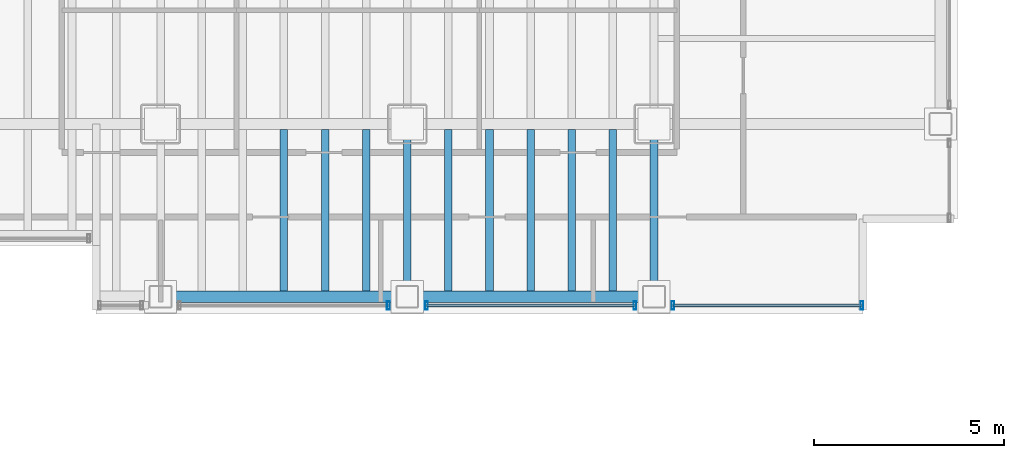
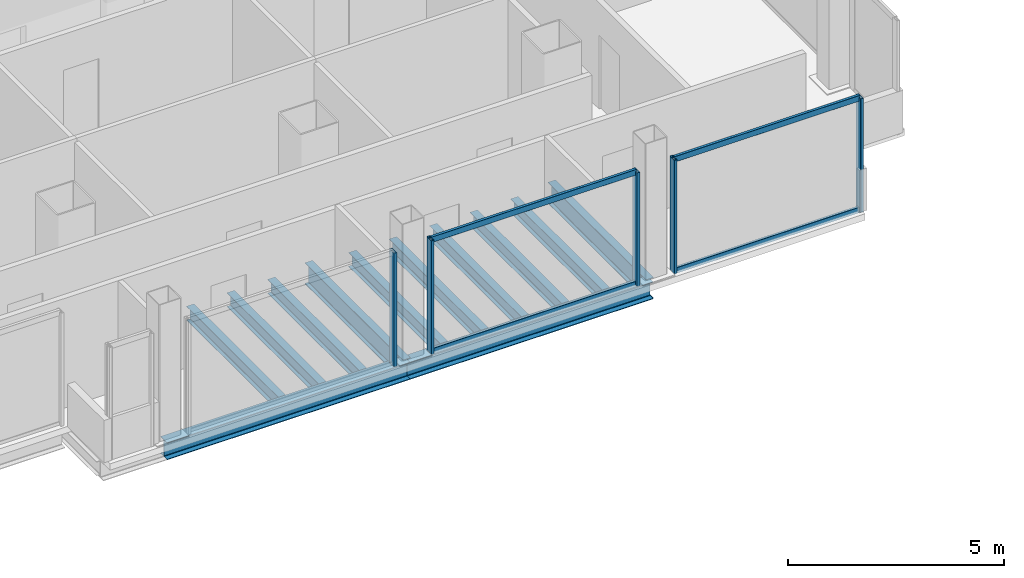
# One storey, part 8 of 30: 12 beams, 9 members, 3 elements without a shape of their own.
"""IFC4 building model written with IfcOpenShell, lengths in metres."""

from ifc_helpers import new_model, si_unit, direction, frame, origin, origin_2d, place, context, subcontext, project, spatial, hollow_rectangle, i_section, extrude, material, material_profile, profile_set, type_object, element, aggregate, save


model = new_model("IFC4")

# Units and contexts
model_context = context("Model", 3, precision=1e-05, world=origin(), true_north=direction((0.0, 1.0)))
body_context = subcontext(model_context, "Body", "Model", "MODEL_VIEW")
ifc_project = project(units=[si_unit("LENGTHUNIT", "METRE"), si_unit("AREAUNIT", "SQUARE_METRE"), si_unit("VOLUMEUNIT", "CUBIC_METRE"), si_unit("PLANEANGLEUNIT", "RADIAN"), si_unit("MASSUNIT", "GRAM", prefix="KILO")], contexts=[model_context])

# Site, building, storey
site_placement = place(None, origin())
site = spatial("IfcSite", under=ifc_project, at=site_placement, CompositionType="ELEMENT")
building_placement = place(site_placement, origin())
building = spatial("IfcBuilding", under=site, at=building_placement, Name="Noeulbin Bourse Tower", CompositionType="ELEMENT")
storey_placement = place(building_placement, frame((0.0, 0.0, 26.5)))
storey = spatial("IfcBuildingStorey", under=building, at=storey_placement, Name="L06", CompositionType="ELEMENT", Elevation=26.5)

# Beams
ifc_material_1 = material(Name="Steel S355", Category="steel")
ifc_material_profile_1 = material_profile(ifc_material_1, i_section(OverallWidth=0.199951171875, OverallDepth=0.60009765625, WebThickness=0.010986328125, FlangeThickness=0.01708984375, FilletRadius=0.02197265625, at=origin_2d()), Name="H-600x200x11x17", Category="LoadBearing")
ifc_profile_set_1 = profile_set([ifc_material_profile_1], Name="Steel S355")
beam_type_1 = type_object("IfcBeamType", Name="BM-GRD-600", PredefinedType="USERDEFINED", material=ifc_profile_set_1)
for number, where, z_axis, x_axis, name in (
    (1, (37.5, 15.449951171875, -0.47998046875), (0.0, 1.0, 0.0), (-1.0, 0.0, 0.0), "Tower Primary Girder NS L06-4.1"),
    (2, (44.0, 15.449951171875, -0.47998046875), (0.0, 1.0, 0.0), (-1.0, 0.0, 0.0), "Tower Primary Girder NS L06-5.1"),
):
    element("IfcBeam", number, at=place(storey_placement, frame(where, z_axis=z_axis, x_axis=x_axis)), inside=storey, type_object=beam_type_1, Name=name, ObjectType="GIRDER", PredefinedType="USERDEFINED", context=body_context, shape_type="SweptSolid", body=[
        extrude(i_section(OverallWidth=0.199951171875, OverallDepth=0.60009765625, WebThickness=0.010986328125, FlangeThickness=0.01708984375, FilletRadius=0.02197265625, at=origin_2d()), origin(), (0.0, 0.0, 1.0), 4.550048828125),
    ])
ifc_material_profile_2 = material_profile(ifc_material_1, i_section(OverallWidth=0.199951171875, OverallDepth=0.39990234375, WebThickness=0.008056640625, FlangeThickness=0.012939453125, FilletRadius=0.01611328125, at=origin_2d()), Name="H-400x200x8x13", Category="LoadBearing")
ifc_profile_set_2 = profile_set([ifc_material_profile_2], Name="Steel S355")
beam_type_2 = type_object("IfcBeamType", Name="BM-SEC-400", PredefinedType="BEAM", material=ifc_profile_set_2)
for number, where, z_axis, x_axis, name in (
    (3, (34.25, 15.60009765625, -0.3798828125), (0.0, 1.0, 0.0), (-1.0, 0.0, 0.0), "Tower Composite Joist L06-45"),
    (4, (35.333251953125, 15.60009765625, -0.3798828125), (0.0, 1.0, 0.0), (-1.0, 0.0, 0.0), "Tower Composite Joist L06-48"),
    (5, (36.416748046875, 15.60009765625, -0.3798828125), (0.0, 1.0, 0.0), (-1.0, 0.0, 0.0), "Tower Composite Joist L06-51"),
    (6, (38.583251953125, 15.60009765625, -0.3798828125), (0.0, 1.0, 0.0), (-1.0, 0.0, 0.0), "Tower Composite Joist L06-54"),
    (7, (39.666748046875, 15.60009765625, -0.3798828125), (0.0, 1.0, 0.0), (-1.0, 0.0, 0.0), "Tower Composite Joist L06-57"),
    (8, (40.75, 15.60009765625, -0.3798828125), (0.0, 1.0, 0.0), (-1.0, 0.0, 0.0), "Tower Composite Joist L06-60"),
    (9, (41.833251953125, 15.60009765625, -0.3798828125), (0.0, 1.0, 0.0), (-1.0, 0.0, 0.0), "Tower Composite Joist L06-63"),
    (10, (42.916748046875, 15.60009765625, -0.3798828125), (0.0, 1.0, 0.0), (-1.0, 0.0, 0.0), "Tower Composite Joist L06-66"),
):
    element("IfcBeam", number, at=place(storey_placement, frame(where, z_axis=z_axis, x_axis=x_axis)), inside=storey, type_object=beam_type_2, Name=name, PredefinedType="BEAM", context=body_context, shape_type="SweptSolid", body=[
        extrude(i_section(OverallWidth=0.199951171875, OverallDepth=0.39990234375, WebThickness=0.008056640625, FlangeThickness=0.012939453125, FilletRadius=0.01611328125, at=origin_2d()), origin(), (0.0, 0.0, 1.0), 4.25),
    ])
ifc_material_profile_3 = material_profile(ifc_material_1, i_section(OverallWidth=0.300048828125, OverallDepth=0.488037109375, WebThickness=0.010986328125, FlangeThickness=0.01806640625, FilletRadius=0.02197265625, at=origin_2d()), Name="H-488x300x11x18", Category="LoadBearing")
ifc_profile_set_3 = profile_set([ifc_material_profile_3], Name="Steel S355")
beam_type_3 = type_object("IfcBeamType", Name="BM-SPN-488", PredefinedType="SPANDREL", material=ifc_profile_set_3)
for number, where, z_axis, x_axis, name in (
    (11, (31.0, 15.449951171875, -0.424072265625), (1.0, 0.0, 0.0), (0.0, 1.0, 0.0), "South Spandrel L06-3"),
    (12, (37.5, 15.449951171875, -0.424072265625), (1.0, 0.0, 0.0), (0.0, 1.0, 0.0), "South Spandrel L06-4"),
):
    element("IfcBeam", number, at=place(storey_placement, frame(where, z_axis=z_axis, x_axis=x_axis)), inside=storey, type_object=beam_type_3, Name=name, PredefinedType="SPANDREL", context=body_context, shape_type="SweptSolid", body=[
        extrude(i_section(OverallWidth=0.300048828125, OverallDepth=0.488037109375, WebThickness=0.010986328125, FlangeThickness=0.01806640625, FilletRadius=0.02197265625, at=origin_2d()), origin(), (0.0, 0.0, 1.0), 6.5),
    ])

# Curtain wall, member
ifc_material_2 = material(Name="Dark Solar-Control Double Glazing", Category="glass")
curtain_wall_type = type_object("IfcCurtainWallType", Name="CW-SYS-2", PredefinedType="NOTDEFINED", material=ifc_material_2)
curtain_wall_1_placement = place(storey_placement, origin())
curtain_wall_1 = element("IfcCurtainWall", 13, at=curtain_wall_1_placement, inside=storey, type_object=curtain_wall_type, Name="Unitised Curtain Wall CW-L06-S3-S2", PredefinedType="NOTDEFINED")
ifc_material_3 = material(Name="Anodised Aluminium 6063-T6", Category="aluminium")
ifc_material_profile_4 = material_profile(ifc_material_3, hollow_rectangle(XDim=0.074951171875, YDim=0.219970703125, WallThickness=0.0048828125, InnerFilletRadius=0.00244140625, OuterFilletRadius=0.0048828125, at=origin_2d()), Name="ALU-MULL-75x220x5", Category="LoadBearing")
ifc_profile_set_4 = profile_set([ifc_material_profile_4], Name="Anodised Aluminium 6063-T6")
member_type_1 = type_object("IfcMemberType", Name="CW-SYS-2-MUL", PredefinedType="MULLION", material=ifc_profile_set_4)
member_1_placement = place(storey_placement, frame((37.0, 15.219970703125, -0.02001953125), z_axis=(0.0, 0.0, 1.0), x_axis=(1.0, 0.0, 0.0)))
member_1 = element("IfcMember", 14, at=member_1_placement, type_object=member_type_1, Name="Curtain Wall Mullion CW-L06-S3-S2-M01", PredefinedType="MULLION", context=body_context, shape_type="SweptSolid", body=[
    extrude(hollow_rectangle(XDim=0.074951171875, YDim=0.219970703125, WallThickness=0.0048828125, InnerFilletRadius=0.00244140625, OuterFilletRadius=0.0048828125, at=origin_2d()), origin(), (0.0, 0.0, 1.0), 3.219970703125),
])
aggregate(curtain_wall_1, [member_1])

# Curtain wall, members
curtain_wall_2_placement = place(storey_placement, origin())
curtain_wall_2 = element("IfcCurtainWall", 15, at=curtain_wall_2_placement, inside=storey, type_object=curtain_wall_type, Name="Unitised Curtain Wall CW-L06-S3-S3", PredefinedType="NOTDEFINED")
member_2_placement = place(storey_placement, frame((38.0, 15.219970703125, -0.02001953125), z_axis=(0.0, 0.0, 1.0), x_axis=(1.0, 0.0, 0.0)))
member_2 = element("IfcMember", 16, at=member_2_placement, type_object=member_type_1, Name="Curtain Wall Mullion CW-L06-S3-S3-M00", PredefinedType="MULLION", context=body_context, shape_type="SweptSolid", body=[
    extrude(hollow_rectangle(XDim=0.074951171875, YDim=0.219970703125, WallThickness=0.0048828125, InnerFilletRadius=0.00244140625, OuterFilletRadius=0.0048828125, at=origin_2d()), origin(), (0.0, 0.0, 1.0), 3.219970703125),
])
member_3_placement = place(storey_placement, frame((43.5, 15.219970703125, -0.02001953125), z_axis=(0.0, 0.0, 1.0), x_axis=(1.0, 0.0, 0.0)))
member_3 = element("IfcMember", 17, at=member_3_placement, type_object=member_type_1, Name="Curtain Wall Mullion CW-L06-S3-S3-M01", PredefinedType="MULLION", context=body_context, shape_type="SweptSolid", body=[
    extrude(hollow_rectangle(XDim=0.074951171875, YDim=0.219970703125, WallThickness=0.0048828125, InnerFilletRadius=0.00244140625, OuterFilletRadius=0.0048828125, at=origin_2d()), origin(), (0.0, 0.0, 1.0), 3.219970703125),
])

curtain_wall_3_placement = place(storey_placement, origin())
curtain_wall_3 = element("IfcCurtainWall", 18, at=curtain_wall_3_placement, inside=storey, type_object=curtain_wall_type, Name="Unitised Curtain Wall CW-L06-S3-S4", PredefinedType="NOTDEFINED")
member_4_placement = place(storey_placement, frame((44.5, 15.219970703125, -0.02001953125), z_axis=(0.0, 0.0, 1.0), x_axis=(1.0, 0.0, 0.0)))
member_4 = element("IfcMember", 19, at=member_4_placement, type_object=member_type_1, Name="Curtain Wall Mullion CW-L06-S3-S4-M00", PredefinedType="MULLION", context=body_context, shape_type="SweptSolid", body=[
    extrude(hollow_rectangle(XDim=0.074951171875, YDim=0.219970703125, WallThickness=0.0048828125, InnerFilletRadius=0.00244140625, OuterFilletRadius=0.0048828125, at=origin_2d()), origin(), (0.0, 0.0, 1.0), 3.219970703125),
])
member_5_placement = place(storey_placement, frame((49.47998046875, 15.219970703125, -0.02001953125), z_axis=(0.0, 0.0, 1.0), x_axis=(1.0, 0.0, 0.0)))
member_5 = element("IfcMember", 20, at=member_5_placement, type_object=member_type_1, Name="Curtain Wall Mullion CW-L06-S3-S4-M01", PredefinedType="MULLION", context=body_context, shape_type="SweptSolid", body=[
    extrude(hollow_rectangle(XDim=0.074951171875, YDim=0.219970703125, WallThickness=0.0048828125, InnerFilletRadius=0.00244140625, OuterFilletRadius=0.0048828125, at=origin_2d()), origin(), (0.0, 0.0, 1.0), 3.219970703125),
])

# Member
ifc_material_profile_5 = material_profile(ifc_material_3, hollow_rectangle(XDim=0.074951171875, YDim=0.159912109375, WallThickness=0.0048828125, InnerFilletRadius=0.00244140625, OuterFilletRadius=0.0048828125, at=origin_2d()), Name="ALU-TRAN-75x160x5", Category="LoadBearing")
ifc_profile_set_5 = profile_set([ifc_material_profile_5], Name="Anodised Aluminium 6063-T6")
member_type_2 = type_object("IfcMemberType", Name="CW-SYS-2-TRN", PredefinedType="USERDEFINED", material=ifc_profile_set_5)
member_6_placement = place(storey_placement, frame((38.010009765625, 15.219970703125, 0.010009765625), z_axis=(1.0, 0.0, 0.0), x_axis=(0.0, 1.0, 0.0)))
member_6 = element("IfcMember", 21, at=member_6_placement, type_object=member_type_2, Name="Curtain Wall Transom CW-L06-S3-S3-T00", ObjectType="TRANSOM", PredefinedType="USERDEFINED", context=body_context, shape_type="SweptSolid", body=[
    extrude(hollow_rectangle(XDim=0.074951171875, YDim=0.159912109375, WallThickness=0.0048828125, InnerFilletRadius=0.00244140625, OuterFilletRadius=0.0048828125, at=origin_2d()), origin(), (0.0, 0.0, 1.0), 5.47998046875),
])

member_7_placement = place(storey_placement, frame((38.010009765625, 15.219970703125, 3.169921875), z_axis=(1.0, 0.0, 0.0), x_axis=(0.0, 1.0, 0.0)))
member_7 = element("IfcMember", 22, at=member_7_placement, type_object=member_type_2, Name="Curtain Wall Transom CW-L06-S3-S3-T01", ObjectType="TRANSOM", PredefinedType="USERDEFINED", context=body_context, shape_type="SweptSolid", body=[
    extrude(hollow_rectangle(XDim=0.074951171875, YDim=0.159912109375, WallThickness=0.0048828125, InnerFilletRadius=0.00244140625, OuterFilletRadius=0.0048828125, at=origin_2d()), origin(), (0.0, 0.0, 1.0), 5.47998046875),
])

aggregate(curtain_wall_2, [member_2, member_3, member_6, member_7])

member_8_placement = place(storey_placement, frame((44.510009765625, 15.219970703125, 0.010009765625), z_axis=(1.0, 0.0, 0.0), x_axis=(0.0, 1.0, 0.0)))
member_8 = element("IfcMember", 23, at=member_8_placement, type_object=member_type_2, Name="Curtain Wall Transom CW-L06-S3-S4-T00", ObjectType="TRANSOM", PredefinedType="USERDEFINED", context=body_context, shape_type="SweptSolid", body=[
    extrude(hollow_rectangle(XDim=0.074951171875, YDim=0.159912109375, WallThickness=0.0048828125, InnerFilletRadius=0.00244140625, OuterFilletRadius=0.0048828125, at=origin_2d()), origin(), (0.0, 0.0, 1.0), 4.9599609375),
])

member_9_placement = place(storey_placement, frame((44.510009765625, 15.219970703125, 3.169921875), z_axis=(1.0, 0.0, 0.0), x_axis=(0.0, 1.0, 0.0)))
member_9 = element("IfcMember", 24, at=member_9_placement, type_object=member_type_2, Name="Curtain Wall Transom CW-L06-S3-S4-T01", ObjectType="TRANSOM", PredefinedType="USERDEFINED", context=body_context, shape_type="SweptSolid", body=[
    extrude(hollow_rectangle(XDim=0.074951171875, YDim=0.159912109375, WallThickness=0.0048828125, InnerFilletRadius=0.00244140625, OuterFilletRadius=0.0048828125, at=origin_2d()), origin(), (0.0, 0.0, 1.0), 4.9599609375),
])

aggregate(curtain_wall_3, [member_4, member_5, member_8, member_9])

save(model, "model.ifc")
